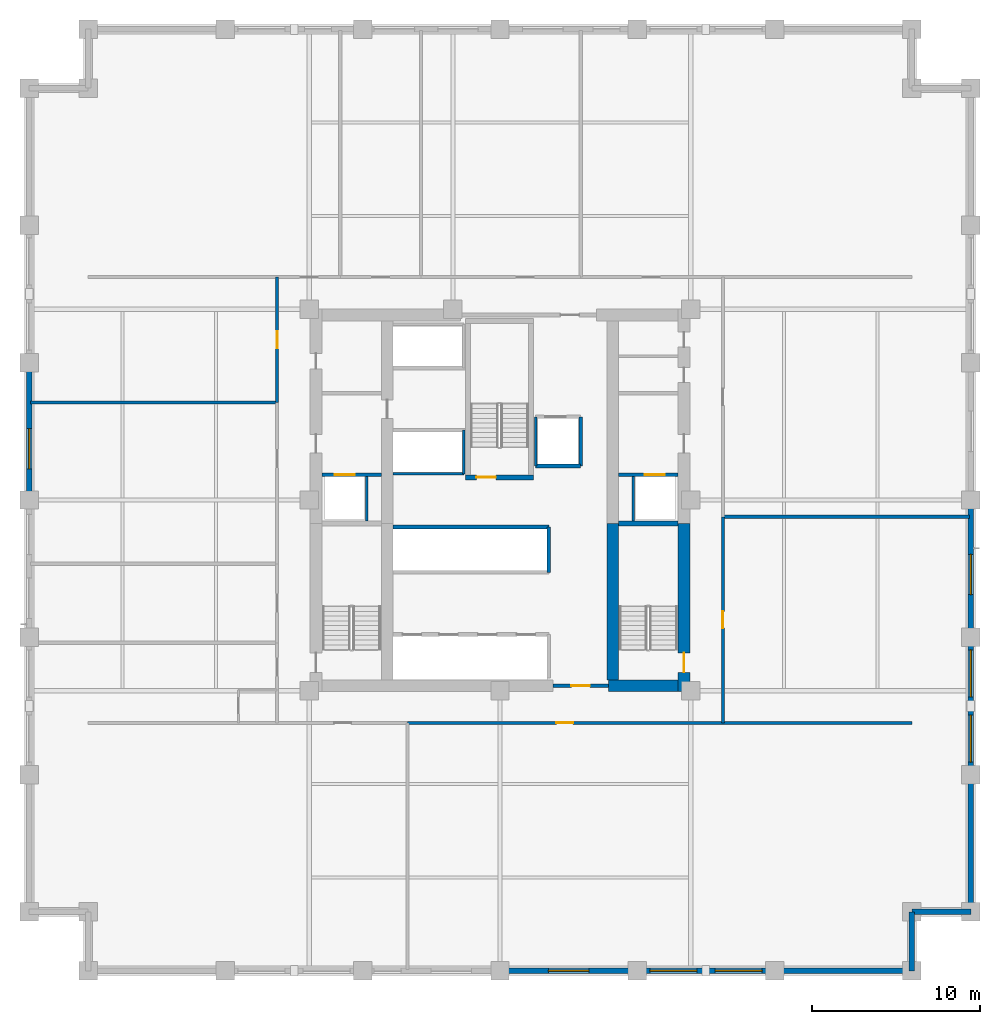
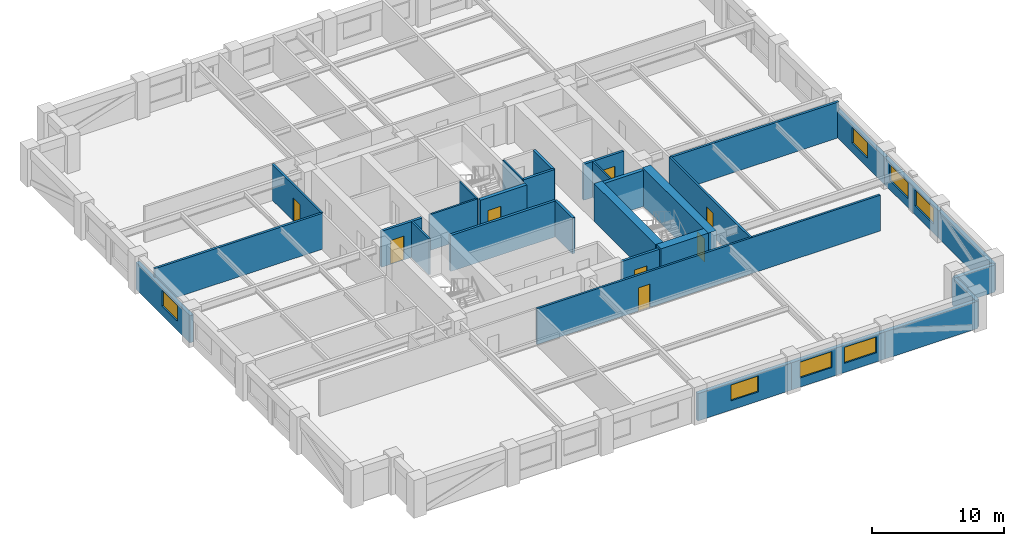
# One storey, part 6 of 9: 31 walls, 8 doors, 7 windows, 15 openings.
"""IFC4 building model written with IfcOpenShell, lengths in metres."""

from ifc_helpers import new_model, si_unit, direction, frame, frame_2d, origin, place, context, subcontext, project, spatial, rectangle, extrude, material, layer, layer_set, type_object, element, fill, save


model = new_model("IFC4")

# Units and contexts
model_context = context("Model", 3, precision=1e-05, world=origin(), true_north=direction((0.0, 1.0)))
body_context = subcontext(model_context, "Body", "Model", "MODEL_VIEW")
ifc_project = project(units=[si_unit("LENGTHUNIT", "METRE"), si_unit("AREAUNIT", "SQUARE_METRE"), si_unit("VOLUMEUNIT", "CUBIC_METRE"), si_unit("PLANEANGLEUNIT", "RADIAN"), si_unit("MASSUNIT", "GRAM", prefix="KILO")], contexts=[model_context])

# Site, building, storey
site_placement = place(None, origin())
site = spatial("IfcSite", under=ifc_project, at=site_placement, CompositionType="ELEMENT")
building_placement = place(site_placement, origin())
building = spatial("IfcBuilding", under=site, at=building_placement, Name="Nhamokura Convention Tower", CompositionType="ELEMENT")
storey_placement = place(building_placement, frame((0.0, 0.0, 85.75)))
storey = spatial("IfcBuildingStorey", under=building, at=storey_placement, Name="L20", CompositionType="ELEMENT", Elevation=85.75)

# Wall, opening, window
ifc_material_1 = material(Name="Bronze-pigmented precast concrete C45/55", Category="concrete")
ifc_layer_1 = layer(ifc_material_1, 0.320068359375)
ifc_layer_set_1 = layer_set([ifc_layer_1], Name="BronzePrecastSpandrel_320")
wall_type_1 = type_object("IfcWallType", Name="BronzePrecastSpandrel_320", PredefinedType="USERDEFINED", material=ifc_layer_set_1)
wall_1_placement = place(storey_placement, frame((40.166748046875, 4.0, 0.0), z_axis=(0.0, 0.0, 1.0), x_axis=(-1.0, 0.0, 0.0)))
wall_1 = element("IfcWall", 1, at=wall_1_placement, inside=storey, type_object=wall_type_1, Name="L20 Masonry-Frame Wall SOUTH 3", ObjectType="SPANDREL_WALL", PredefinedType="USERDEFINED", context=body_context, shape_type="SweptSolid", body=[
    extrude(rectangle(XDim=8.166748046875, YDim=0.320068359375, at=frame_2d((4.08349609375, 0.0))), origin(), (0.0, 0.0, 1.0), 2.52001953125),
])
opening_1_placement = place(wall_1_placement, frame((2.88330078125, 0.0, 0.85009765625)))
opening_1 = element("IfcOpeningElement", 2, at=opening_1_placement, cuts=wall_1, Name="Opening W-03", PredefinedType="OPENING", context=body_context, shape_type="SweptSolid", body=[
    extrude(rectangle(XDim=2.39990234375, YDim=1.469970703125, at=frame_2d((1.199951171875, 0.73486328125))), frame((0.0, 0.169921875, 0.0), z_axis=(0.0, -1.0, 0.0), x_axis=(1.0, 0.0, 0.0)), (0.0, 0.0, 1.0), 0.340087890625),
])
ifc_material_2 = material(Name="Solar-control bronze low-E double glass", Category="glass")
window_type_1 = type_object("IfcWindowType", Name="HotelBayWindow_2400", PartitioningType="DOUBLE_PANEL_VERTICAL", PredefinedType="WINDOW", material=ifc_material_2)
window_1_placement = place(opening_1_placement, origin())
window_1 = element("IfcWindow", 3, at=window_1_placement, inside=storey, type_object=window_type_1, Name="L20 Facade Window SOUTH 3", OverallHeight=1.469970703125, OverallWidth=2.39990234375, PartitioningType="SINGLE_PANEL", PredefinedType="WINDOW", context=body_context, shape_type="SweptSolid", body=[
    extrude(rectangle(XDim=2.39990234375, YDim=1.469970703125, at=frame_2d((1.199951171875, 0.73486328125))), frame((0.0, 0.030029296875, 0.0), z_axis=(0.0, -1.0, 0.0), x_axis=(1.0, 0.0, 0.0)), (0.0, 0.0, 1.0), 0.06005859375),
])
fill(opening_1, window_1)

# Wall, openings, windows
wall_2_placement = place(storey_placement, frame((48.333251953125, 4.0, 0.0), z_axis=(0.0, 0.0, 1.0), x_axis=(-1.0, 0.0, 0.0)))
wall_2 = element("IfcWall", 4, at=wall_2_placement, inside=storey, type_object=wall_type_1, Name="L20 Masonry-Frame Wall SOUTH 4", ObjectType="SPANDREL_WALL", PredefinedType="USERDEFINED", context=body_context, shape_type="SweptSolid", body=[
    extrude(rectangle(XDim=8.16650390625, YDim=0.320068359375, at=frame_2d((4.083251953125, 0.0))), origin(), (0.0, 0.0, 1.0), 2.52001953125),
])
opening_2_placement = place(wall_2_placement, frame((0.74169921875, 0.0, 0.85009765625)))
opening_2 = element("IfcOpeningElement", 5, at=opening_2_placement, cuts=wall_2, Name="Opening W-04", PredefinedType="OPENING", context=body_context, shape_type="SweptSolid", body=[
    extrude(rectangle(XDim=2.800048828125, YDim=1.469970703125, at=frame_2d((1.39990234375, 0.73486328125))), frame((0.0, 0.169921875, 0.0), z_axis=(0.0, -1.0, 0.0), x_axis=(1.0, 0.0, 0.0)), (0.0, 0.0, 1.0), 0.340087890625),
])
opening_3_placement = place(wall_2_placement, frame((4.625, 0.0, 0.85009765625)))
opening_3 = element("IfcOpeningElement", 6, at=opening_3_placement, cuts=wall_2, Name="Opening W-04", PredefinedType="OPENING", context=body_context, shape_type="SweptSolid", body=[
    extrude(rectangle(XDim=2.800048828125, YDim=1.469970703125, at=frame_2d((1.39990234375, 0.73486328125))), frame((0.0, 0.169921875, 0.0), z_axis=(0.0, -1.0, 0.0), x_axis=(1.0, 0.0, 0.0)), (0.0, 0.0, 1.0), 0.340087890625),
])
ifc_material_3 = material(Name="Solar-control bronze low-E double glass", Category="glass")
window_type_2 = type_object("IfcWindowType", Name="HotelSuiteWindow_2800", PartitioningType="DOUBLE_PANEL_VERTICAL", PredefinedType="WINDOW", material=ifc_material_3)
window_2_placement = place(opening_2_placement, origin())
window_2 = element("IfcWindow", 7, at=window_2_placement, inside=storey, type_object=window_type_2, Name="L20 Facade Window SOUTH 4-1", OverallHeight=1.469970703125, OverallWidth=2.800048828125, PartitioningType="SINGLE_PANEL", PredefinedType="WINDOW", context=body_context, shape_type="SweptSolid", body=[
    extrude(rectangle(XDim=2.800048828125, YDim=1.469970703125, at=frame_2d((1.39990234375, 0.73486328125))), frame((0.0, 0.030029296875, 0.0), z_axis=(0.0, -1.0, 0.0), x_axis=(1.0, 0.0, 0.0)), (0.0, 0.0, 1.0), 0.06005859375),
])
fill(opening_2, window_2)
window_3_placement = place(opening_3_placement, origin())
window_3 = element("IfcWindow", 8, at=window_3_placement, inside=storey, type_object=window_type_2, Name="L20 Facade Window SOUTH 4-2", OverallHeight=1.469970703125, OverallWidth=2.800048828125, PartitioningType="SINGLE_PANEL", PredefinedType="WINDOW", context=body_context, shape_type="SweptSolid", body=[
    extrude(rectangle(XDim=2.800048828125, YDim=1.469970703125, at=frame_2d((1.39990234375, 0.73486328125))), frame((0.0, 0.030029296875, 0.0), z_axis=(0.0, -1.0, 0.0), x_axis=(1.0, 0.0, 0.0)), (0.0, 0.0, 1.0), 0.06005859375),
])
fill(opening_3, window_3)

# Wall
wall_3_placement = place(storey_placement, frame((56.5, 4.0, 0.0), z_axis=(0.0, 0.0, 1.0), x_axis=(-1.0, 0.0, 0.0)))
element("IfcWall", 9, at=wall_3_placement, inside=storey, type_object=wall_type_1, Name="L20 Braced-Bay Precast Wall SOUTH 5", ObjectType="SPANDREL_WALL", PredefinedType="USERDEFINED", context=body_context, shape_type="SweptSolid", body=[
    extrude(rectangle(XDim=8.166748046875, YDim=0.320068359375, at=frame_2d((4.08349609375, 0.0))), origin(), (0.0, 0.0, 1.0), 2.52001953125),
])

# Wall, opening, window
wall_4_placement = place(storey_placement, frame((4.0, 32.0, 0.0), z_axis=(0.0, 0.0, 1.0), x_axis=(0.0, 1.0, 0.0)))
wall_4 = element("IfcWall", 10, at=wall_4_placement, inside=storey, type_object=wall_type_1, Name="L20 Masonry-Frame Wall WEST 3", ObjectType="SPANDREL_WALL", PredefinedType="USERDEFINED", context=body_context, shape_type="SweptSolid", body=[
    extrude(rectangle(XDim=8.166748046875, YDim=0.320068359375, at=frame_2d((4.08349609375, 0.0))), origin(), (0.0, 0.0, 1.0), 2.52001953125),
])
opening_4_placement = place(wall_4_placement, frame((1.85009765625, 0.0, 0.85009765625)))
opening_4 = element("IfcOpeningElement", 11, at=opening_4_placement, cuts=wall_4, Name="Opening W-03", PredefinedType="OPENING", context=body_context, shape_type="SweptSolid", body=[
    extrude(rectangle(XDim=2.39990234375, YDim=1.469970703125, at=frame_2d((1.199951171875, 0.73486328125))), frame((0.0, 0.169921875, 0.0), z_axis=(0.0, -1.0, 0.0), x_axis=(1.0, 0.0, 0.0)), (0.0, 0.0, 1.0), 0.340087890625),
])
window_4_placement = place(opening_4_placement, origin())
window_4 = element("IfcWindow", 12, at=window_4_placement, inside=storey, type_object=window_type_1, Name="L20 Facade Window WEST 3-1", OverallHeight=1.469970703125, OverallWidth=2.39990234375, PartitioningType="SINGLE_PANEL", PredefinedType="WINDOW", context=body_context, shape_type="SweptSolid", body=[
    extrude(rectangle(XDim=2.39990234375, YDim=1.469970703125, at=frame_2d((1.199951171875, 0.73486328125))), frame((0.0, 0.030029296875, 0.0), z_axis=(0.0, -1.0, 0.0), x_axis=(1.0, 0.0, 0.0)), (0.0, 0.0, 1.0), 0.06005859375),
])
fill(opening_4, window_4)

# Wall
wall_5_placement = place(storey_placement, frame((60.0, 15.666748046875, 0.0), z_axis=(0.0, 0.0, 1.0), x_axis=(0.0, -1.0, 0.0)))
element("IfcWall", 13, at=wall_5_placement, inside=storey, type_object=wall_type_1, Name="L20 Braced-Bay Precast Wall EAST 0", ObjectType="SPANDREL_WALL", PredefinedType="USERDEFINED", context=body_context, shape_type="SweptSolid", body=[
    extrude(rectangle(XDim=8.166748046875, YDim=0.320068359375, at=frame_2d((4.08349609375, 0.0))), origin(), (0.0, 0.0, 1.0), 2.52001953125),
])

# Wall, openings, windows
wall_6_placement = place(storey_placement, frame((60.0, 23.833251953125, 0.0), z_axis=(0.0, 0.0, 1.0), x_axis=(0.0, -1.0, 0.0)))
wall_6 = element("IfcWall", 14, at=wall_6_placement, inside=storey, type_object=wall_type_1, Name="L20 Masonry-Frame Wall EAST 1", ObjectType="SPANDREL_WALL", PredefinedType="USERDEFINED", context=body_context, shape_type="SweptSolid", body=[
    extrude(rectangle(XDim=8.16650390625, YDim=0.320068359375, at=frame_2d((4.083251953125, 0.0))), origin(), (0.0, 0.0, 1.0), 2.52001953125),
])
opening_5_placement = place(wall_6_placement, frame((0.74169921875, 0.0, 0.85009765625)))
opening_5 = element("IfcOpeningElement", 15, at=opening_5_placement, cuts=wall_6, Name="Opening W-04", PredefinedType="OPENING", context=body_context, shape_type="SweptSolid", body=[
    extrude(rectangle(XDim=2.800048828125, YDim=1.469970703125, at=frame_2d((1.39990234375, 0.73486328125))), frame((0.0, 0.169921875, 0.0), z_axis=(0.0, -1.0, 0.0), x_axis=(1.0, 0.0, 0.0)), (0.0, 0.0, 1.0), 0.340087890625),
])
opening_6_placement = place(wall_6_placement, frame((4.625, 0.0, 0.85009765625)))
opening_6 = element("IfcOpeningElement", 16, at=opening_6_placement, cuts=wall_6, Name="Opening W-04", PredefinedType="OPENING", context=body_context, shape_type="SweptSolid", body=[
    extrude(rectangle(XDim=2.800048828125, YDim=1.469970703125, at=frame_2d((1.39990234375, 0.73486328125))), frame((0.0, 0.169921875, 0.0), z_axis=(0.0, -1.0, 0.0), x_axis=(1.0, 0.0, 0.0)), (0.0, 0.0, 1.0), 0.340087890625),
])
window_5_placement = place(opening_5_placement, origin())
window_5 = element("IfcWindow", 17, at=window_5_placement, inside=storey, type_object=window_type_2, Name="L20 Facade Window EAST 1-1", OverallHeight=1.469970703125, OverallWidth=2.800048828125, PartitioningType="SINGLE_PANEL", PredefinedType="WINDOW", context=body_context, shape_type="SweptSolid", body=[
    extrude(rectangle(XDim=2.800048828125, YDim=1.469970703125, at=frame_2d((1.39990234375, 0.73486328125))), frame((0.0, 0.030029296875, 0.0), z_axis=(0.0, -1.0, 0.0), x_axis=(1.0, 0.0, 0.0)), (0.0, 0.0, 1.0), 0.06005859375),
])
fill(opening_5, window_5)
window_6_placement = place(opening_6_placement, origin())
window_6 = element("IfcWindow", 18, at=window_6_placement, inside=storey, type_object=window_type_2, Name="L20 Facade Window EAST 1-2", OverallHeight=1.469970703125, OverallWidth=2.800048828125, PartitioningType="SINGLE_PANEL", PredefinedType="WINDOW", context=body_context, shape_type="SweptSolid", body=[
    extrude(rectangle(XDim=2.800048828125, YDim=1.469970703125, at=frame_2d((1.39990234375, 0.73486328125))), frame((0.0, 0.030029296875, 0.0), z_axis=(0.0, -1.0, 0.0), x_axis=(1.0, 0.0, 0.0)), (0.0, 0.0, 1.0), 0.06005859375),
])
fill(opening_6, window_6)

# Wall, opening, window
wall_7_placement = place(storey_placement, frame((60.0, 32.0, 0.0), z_axis=(0.0, 0.0, 1.0), x_axis=(0.0, -1.0, 0.0)))
wall_7 = element("IfcWall", 19, at=wall_7_placement, inside=storey, type_object=wall_type_1, Name="L20 Masonry-Frame Wall EAST 2", ObjectType="SPANDREL_WALL", PredefinedType="USERDEFINED", context=body_context, shape_type="SweptSolid", body=[
    extrude(rectangle(XDim=8.166748046875, YDim=0.320068359375, at=frame_2d((4.08349609375, 0.0))), origin(), (0.0, 0.0, 1.0), 2.52001953125),
])
opening_7_placement = place(wall_7_placement, frame((3.2333984375, 0.0, 0.85009765625)))
opening_7 = element("IfcOpeningElement", 20, at=opening_7_placement, cuts=wall_7, Name="Opening W-03", PredefinedType="OPENING", context=body_context, shape_type="SweptSolid", body=[
    extrude(rectangle(XDim=2.39990234375, YDim=1.469970703125, at=frame_2d((1.199951171875, 0.73486328125))), frame((0.0, 0.169921875, 0.0), z_axis=(0.0, -1.0, 0.0), x_axis=(1.0, 0.0, 0.0)), (0.0, 0.0, 1.0), 0.340087890625),
])
window_7_placement = place(opening_7_placement, origin())
window_7 = element("IfcWindow", 21, at=window_7_placement, inside=storey, type_object=window_type_1, Name="L20 Facade Window EAST 2-2", OverallHeight=1.469970703125, OverallWidth=2.39990234375, PartitioningType="SINGLE_PANEL", PredefinedType="WINDOW", context=body_context, shape_type="SweptSolid", body=[
    extrude(rectangle(XDim=2.39990234375, YDim=1.469970703125, at=frame_2d((1.199951171875, 0.73486328125))), frame((0.0, 0.030029296875, 0.0), z_axis=(0.0, -1.0, 0.0), x_axis=(1.0, 0.0, 0.0)), (0.0, 0.0, 1.0), 0.06005859375),
])
fill(opening_7, window_7)

# Walls
for number, where, z_axis, x_axis, name in (
    (22, (56.5, 7.5, 0.0), (0.0, 0.0, 1.0), (0.0, -1.0, 0.0), "L20 Notched Corner Wall SE1"),
    (23, (60.0, 7.5, 0.0), (0.0, 0.0, 1.0), (-1.0, 0.0, 0.0), "L20 Notched Corner Wall SE2"),
):
    element("IfcWall", number, at=place(storey_placement, frame(where, z_axis=z_axis, x_axis=x_axis)), inside=storey, type_object=wall_type_1, Name=name, ObjectType="SPANDREL_WALL", PredefinedType="USERDEFINED", context=body_context, shape_type="SweptSolid", body=[
        extrude(rectangle(XDim=3.5, YDim=0.320068359375, at=frame_2d((1.75, 0.0))), origin(), (0.0, 0.0, 1.0), 2.52001953125),
    ])

# Wall, opening, door
ifc_material_4 = material(Name="Concrete C70/85", Category="concrete")
ifc_layer_2 = layer(ifc_material_4, 0.699951171875)
ifc_layer_set_2 = layer_set([ifc_layer_2], Name="CoreShearWall_700")
wall_type_2 = type_object("IfcWallType", Name="CoreShearWall_700", PredefinedType="SHEAR", material=ifc_layer_set_2)
wall_8_placement = place(storey_placement, frame((42.93994140625, 20.60009765625, 0.0), z_axis=(0.0, 0.0, 1.0), x_axis=(0.0, 1.0, 0.0)))
wall_8 = element("IfcWall", 24, at=wall_8_placement, inside=storey, type_object=wall_type_2, Name="L20 Core Shear Wall CW-ES", PredefinedType="SHEAR", context=body_context, shape_type="SweptSolid", body=[
    extrude(rectangle(XDim=10.0, YDim=0.699951171875, at=frame_2d((5.0, 0.0))), origin(), (0.0, 0.0, 1.0), 3.5),
])
opening_8_placement = place(wall_8_placement, frame((1.14990234375, 0.0, 0.0)))
opening_8 = element("IfcOpeningElement", 25, at=opening_8_placement, cuts=wall_8, Name="Opening D-04", PredefinedType="OPENING", context=body_context, shape_type="SweptSolid", body=[
    extrude(rectangle(XDim=1.14990234375, YDim=2.14990234375, at=frame_2d((0.574951171875, 1.074951171875))), frame((0.0, 0.35986328125, 0.0), z_axis=(0.0, -1.0, 0.0), x_axis=(1.0, 0.0, 0.0)), (0.0, 0.0, 1.0), 0.719970703125),
])
ifc_material_5 = material(Name="Fire-rated steel door", Category="steel")
door_type_1 = type_object("IfcDoorType", Name="StairSmokeDoor_1150", OperationType="NOTDEFINED", PredefinedType="DOOR", material=ifc_material_5)
door_1_placement = place(opening_8_placement, origin())
door_1 = element("IfcDoor", 26, at=door_1_placement, inside=storey, type_object=door_type_1, Name="L20 Core Door INT-L20-D-ST02", OperationType="SINGLE_SWING_RIGHT", OverallHeight=2.14990234375, OverallWidth=1.14990234375, PredefinedType="DOOR", context=body_context, shape_type="SweptSolid", body=[
    extrude(rectangle(XDim=1.14990234375, YDim=2.14990234375, at=frame_2d((0.574951171875, 1.074951171875))), frame((0.0, 0.02490234375, 0.0), z_axis=(0.0, -1.0, 0.0), x_axis=(1.0, 0.0, 0.0)), (0.0, 0.0, 1.0), 0.050048828125),
])
fill(opening_8, door_1)

# Walls
wall_9_placement = place(storey_placement, frame((38.449951171875, 20.949951171875, 0.0), z_axis=(0.0, 0.0, 1.0), x_axis=(1.0, 0.0, 0.0)))
element("IfcWall", 27, at=wall_9_placement, inside=storey, type_object=wall_type_2, Name="L20 Core Shear Wall CW-S2", PredefinedType="SHEAR", context=body_context, shape_type="SweptSolid", body=[
    extrude(rectangle(XDim=4.14013671875, YDim=0.699951171875, at=frame_2d((2.070068359375, 0.0))), origin(), (0.0, 0.0, 1.0), 3.5),
])
wall_10_placement = place(storey_placement, frame((38.7099609375, 21.300048828125, 0.0), z_axis=(0.0, 0.0, 1.0), x_axis=(0.0, 1.0, 0.0)))
element("IfcWall", 28, at=wall_10_placement, inside=storey, type_object=wall_type_2, Name="L20 Core Shear Wall CW-IES", PredefinedType="SHEAR", context=body_context, shape_type="SweptSolid", body=[
    extrude(rectangle(XDim=9.300048828125, YDim=0.699951171875, at=frame_2d((4.64990234375, 0.0))), origin(), (0.0, 0.0, 1.0), 3.5),
])

# Wall, opening, door
ifc_material_6 = material(Name="Fire-rated gypsum and masonry partition", Category="masonry")
ifc_layer_3 = layer(ifc_material_6, 0.179931640625)
ifc_layer_set_3 = layer_set([ifc_layer_3], Name="CorridorRatedWall_180")
wall_type_3 = type_object("IfcWallType", Name="CorridorRatedWall_180", PredefinedType="STANDARD", material=ifc_layer_set_3)
wall_11_placement = place(storey_placement, frame((26.5, 18.75, 0.0), z_axis=(0.0, 0.0, 1.0), x_axis=(1.0, 0.0, 0.0)))
wall_11 = element("IfcWall", 29, at=wall_11_placement, inside=storey, type_object=wall_type_3, Name="L20 Wall INT-L20-CW-S01", PredefinedType="STANDARD", context=body_context, shape_type="SweptSolid", body=[
    extrude(rectangle(XDim=30.0, YDim=0.179931640625, at=frame_2d((15.0, 0.0))), origin(), (0.0, 0.0, 1.0), 3.320068359375),
])
opening_9_placement = place(wall_11_placement, frame((8.85009765625, 0.0, 0.0)))
opening_9 = element("IfcOpeningElement", 30, at=opening_9_placement, cuts=wall_11, Name="Opening D-07", PredefinedType="OPENING", context=body_context, shape_type="SweptSolid", body=[
    extrude(rectangle(XDim=1.0, YDim=2.14990234375, at=frame_2d((0.5, 1.074951171875))), frame((0.0, 0.099853515625, 0.0), z_axis=(0.0, -1.0, 0.0), x_axis=(1.0, 0.0, 0.0)), (0.0, 0.0, 1.0), 0.199951171875),
])
ifc_material_7 = material(Name="Solid oak hardwood", Category="wood")
door_type_2 = type_object("IfcDoorType", Name="HotelSuiteEntryDoor_1000", OperationType="NOTDEFINED", PredefinedType="DOOR", material=ifc_material_7)
door_2_placement = place(opening_9_placement, origin())
door_2 = element("IfcDoor", 31, at=door_2_placement, inside=storey, type_object=door_type_2, Name="L20 Private Dining Room S02 Door", OperationType="SINGLE_SWING_RIGHT", OverallHeight=2.14990234375, OverallWidth=1.0, PredefinedType="DOOR", context=body_context, shape_type="SweptSolid", body=[
    extrude(rectangle(XDim=1.0, YDim=2.14990234375, at=frame_2d((0.5, 1.074951171875))), frame((0.0, 0.02490234375, 0.0), z_axis=(0.0, -1.0, 0.0), x_axis=(1.0, 0.0, 0.0)), (0.0, 0.0, 1.0), 0.050048828125),
])
fill(opening_9, door_2)

wall_12_placement = place(storey_placement, frame((18.75, 37.800048828125, 0.0), z_axis=(0.0, 0.0, 1.0), x_axis=(0.0, 1.0, 0.0)))
wall_12 = element("IfcWall", 32, at=wall_12_placement, inside=storey, type_object=wall_type_3, Name="L20 Wall INT-L20-CW-W03", PredefinedType="STANDARD", context=body_context, shape_type="SweptSolid", body=[
    extrude(rectangle(XDim=7.449951171875, YDim=0.179931640625, at=frame_2d((3.72509765625, 0.0))), origin(), (0.0, 0.0, 1.0), 3.320068359375),
])
opening_10_placement = place(wall_12_placement, frame((3.22509765625, 0.0, 0.0)))
opening_10 = element("IfcOpeningElement", 33, at=opening_10_placement, cuts=wall_12, Name="Opening D-07", PredefinedType="OPENING", context=body_context, shape_type="SweptSolid", body=[
    extrude(rectangle(XDim=1.0, YDim=2.14990234375, at=frame_2d((0.5, 1.074951171875))), frame((0.0, 0.099853515625, 0.0), z_axis=(0.0, -1.0, 0.0), x_axis=(1.0, 0.0, 0.0)), (0.0, 0.0, 1.0), 0.199951171875),
])
door_3_placement = place(opening_10_placement, origin())
door_3 = element("IfcDoor", 34, at=door_3_placement, inside=storey, type_object=door_type_2, Name="L20 Conference Salon W04 Door", OperationType="SINGLE_SWING_RIGHT", OverallHeight=2.14990234375, OverallWidth=1.0, PredefinedType="DOOR", context=body_context, shape_type="SweptSolid", body=[
    extrude(rectangle(XDim=1.0, YDim=2.14990234375, at=frame_2d((0.5, 1.074951171875))), frame((0.0, 0.02490234375, 0.0), z_axis=(0.0, -1.0, 0.0), x_axis=(1.0, 0.0, 0.0)), (0.0, 0.0, 1.0), 0.050048828125),
])
fill(opening_10, door_3)

wall_13_placement = place(storey_placement, frame((45.25, 18.75, 0.0), z_axis=(0.0, 0.0, 1.0), x_axis=(0.0, 1.0, 0.0)))
wall_13 = element("IfcWall", 35, at=wall_13_placement, inside=storey, type_object=wall_type_3, Name="L20 Wall INT-L20-CW-E00", PredefinedType="STANDARD", context=body_context, shape_type="SweptSolid", body=[
    extrude(rectangle(XDim=12.25, YDim=0.179931640625, at=frame_2d((6.125, 0.0))), origin(), (0.0, 0.0, 1.0), 3.320068359375),
])
opening_11_placement = place(wall_13_placement, frame((5.625, 0.0, 0.0)))
opening_11 = element("IfcOpeningElement", 36, at=opening_11_placement, cuts=wall_13, Name="Opening D-07", PredefinedType="OPENING", context=body_context, shape_type="SweptSolid", body=[
    extrude(rectangle(XDim=1.0, YDim=2.14990234375, at=frame_2d((0.5, 1.074951171875))), frame((0.0, 0.099853515625, 0.0), z_axis=(0.0, -1.0, 0.0), x_axis=(1.0, 0.0, 0.0)), (0.0, 0.0, 1.0), 0.199951171875),
])
door_4_placement = place(opening_11_placement, origin())
door_4 = element("IfcDoor", 37, at=door_4_placement, inside=storey, type_object=door_type_2, Name="L20 Wellness Gym Studio E01 Door", OperationType="SINGLE_SWING_LEFT", OverallHeight=2.14990234375, OverallWidth=1.0, PredefinedType="DOOR", context=body_context, shape_type="SweptSolid", body=[
    extrude(rectangle(XDim=1.0, YDim=2.14990234375, at=frame_2d((0.5, 1.074951171875))), frame((0.0, 0.02490234375, 0.0), z_axis=(0.0, -1.0, 0.0), x_axis=(1.0, 0.0, 0.0)), (0.0, 0.0, 1.0), 0.050048828125),
])
fill(opening_11, door_4)

ifc_material_8 = material(Name="Autoclaved concrete blockwork", Category="masonry")
ifc_layer_4 = layer(ifc_material_8, 0.219970703125)
ifc_layer_set_4 = layer_set([ifc_layer_4], Name="FireLobbyWall_220")
wall_type_4 = type_object("IfcWallType", Name="FireLobbyWall_220", PredefinedType="STANDARD", material=ifc_layer_set_4)
wall_14_placement = place(storey_placement, frame((21.409912109375, 33.5, 0.0), z_axis=(0.0, 0.0, 1.0), x_axis=(1.0, 0.0, 0.0)))
wall_14 = element("IfcWall", 38, at=wall_14_placement, inside=storey, type_object=wall_type_4, Name="L20 Wall INT-L20-FFW-S", PredefinedType="STANDARD", context=body_context, shape_type="SweptSolid", body=[
    extrude(rectangle(XDim=3.530029296875, YDim=0.219970703125, at=frame_2d((1.76513671875, 0.0))), origin(), (0.0, 0.0, 1.0), 3.320068359375),
])
opening_12_placement = place(wall_14_placement, frame((0.75, 0.0, 0.0)))
opening_12 = element("IfcOpeningElement", 39, at=opening_12_placement, cuts=wall_14, Name="Opening LD-02", PredefinedType="OPENING", context=body_context, shape_type="SweptSolid", body=[
    extrude(rectangle(XDim=1.199951171875, YDim=2.199951171875, at=frame_2d((0.60009765625, 1.10009765625))), frame((0.0, 0.119873046875, 0.0), z_axis=(0.0, -1.0, 0.0), x_axis=(1.0, 0.0, 0.0)), (0.0, 0.0, 1.0), 0.239990234375),
])
ifc_material_9 = material(Name="Anodised bronze stainless steel", Category="steel")
door_type_3 = type_object("IfcDoorType", Name="LiftLandingDoor_FireService", OperationType="DOUBLE_DOOR_SLIDING", PredefinedType="DOOR", material=ifc_material_9)
door_5_placement = place(opening_12_placement, origin())
door_5 = element("IfcDoor", 40, at=door_5_placement, inside=storey, type_object=door_type_3, Name="L20 Firefighting Lift LF-01 Door", OperationType="DOUBLE_DOOR_SLIDING", OverallHeight=2.199951171875, OverallWidth=1.199951171875, PredefinedType="DOOR", context=body_context, shape_type="SweptSolid", body=[
    extrude(rectangle(XDim=1.199951171875, YDim=2.199951171875, at=frame_2d((0.60009765625, 1.10009765625))), frame((0.0, 0.02490234375, 0.0), z_axis=(0.0, -1.0, 0.0), x_axis=(1.0, 0.0, 0.0)), (0.0, 0.0, 1.0), 0.050048828125),
])
fill(opening_12, door_5)

wall_15_placement = place(storey_placement, frame((39.06005859375, 33.5, 0.0), z_axis=(0.0, 0.0, 1.0), x_axis=(1.0, 0.0, 0.0)))
wall_15 = element("IfcWall", 41, at=wall_15_placement, inside=storey, type_object=wall_type_4, Name="L20 Wall INT-L20-FFE-S", PredefinedType="STANDARD", context=body_context, shape_type="SweptSolid", body=[
    extrude(rectangle(XDim=3.530029296875, YDim=0.219970703125, at=frame_2d((1.76513671875, 0.0))), origin(), (0.0, 0.0, 1.0), 3.320068359375),
])
opening_13_placement = place(wall_15_placement, frame((1.550048828125, 0.0, 0.0)))
opening_13 = element("IfcOpeningElement", 42, at=opening_13_placement, cuts=wall_15, Name="Opening LD-02", PredefinedType="OPENING", context=body_context, shape_type="SweptSolid", body=[
    extrude(rectangle(XDim=1.199951171875, YDim=2.199951171875, at=frame_2d((0.60009765625, 1.10009765625))), frame((0.0, 0.119873046875, 0.0), z_axis=(0.0, -1.0, 0.0), x_axis=(1.0, 0.0, 0.0)), (0.0, 0.0, 1.0), 0.239990234375),
])
door_6_placement = place(opening_13_placement, origin())
door_6 = element("IfcDoor", 43, at=door_6_placement, inside=storey, type_object=door_type_3, Name="L20 Firefighting Lift LF-02 Door", OperationType="DOUBLE_DOOR_SLIDING", OverallHeight=2.199951171875, OverallWidth=1.199951171875, PredefinedType="DOOR", context=body_context, shape_type="SweptSolid", body=[
    extrude(rectangle(XDim=1.199951171875, YDim=2.199951171875, at=frame_2d((0.60009765625, 1.10009765625))), frame((0.0, 0.02490234375, 0.0), z_axis=(0.0, -1.0, 0.0), x_axis=(1.0, 0.0, 0.0)), (0.0, 0.0, 1.0), 0.050048828125),
])
fill(opening_13, door_6)

wall_16_placement = place(storey_placement, frame((35.14990234375, 20.949951171875, 0.0), z_axis=(0.0, 0.0, 1.0), x_axis=(1.0, 0.0, 0.0)))
wall_16 = element("IfcWall", 44, at=wall_16_placement, inside=storey, type_object=wall_type_4, Name="L20 Wall INT-L20-SPORT-S", PredefinedType="STANDARD", context=body_context, shape_type="SweptSolid", body=[
    extrude(rectangle(XDim=3.300048828125, YDim=0.219970703125, at=frame_2d((1.64990234375, 0.0))), origin(), (0.0, 0.0, 1.0), 3.320068359375),
])
opening_14_placement = place(wall_16_placement, frame((1.10009765625, 0.0, 0.0)))
opening_14 = element("IfcOpeningElement", 45, at=opening_14_placement, cuts=wall_16, Name="Opening D-05", PredefinedType="OPENING", context=body_context, shape_type="SweptSolid", body=[
    extrude(rectangle(XDim=1.10009765625, YDim=2.14990234375, at=frame_2d((0.550048828125, 1.074951171875))), frame((0.0, 0.119873046875, 0.0), z_axis=(0.0, -1.0, 0.0), x_axis=(1.0, 0.0, 0.0)), (0.0, 0.0, 1.0), 0.239990234375),
])
ifc_material_10 = material(Name="Fire-rated steel door", Category="steel")
door_type_4 = type_object("IfcDoorType", Name="FireLobbyDoor_1100", OperationType="NOTDEFINED", PredefinedType="DOOR", material=ifc_material_10)
door_7_placement = place(opening_14_placement, origin())
door_7 = element("IfcDoor", 46, at=door_7_placement, inside=storey, type_object=door_type_4, Name="L20 South Core Lobby Portal Door", OperationType="SINGLE_SWING_LEFT", OverallHeight=2.14990234375, OverallWidth=1.10009765625, PredefinedType="DOOR", context=body_context, shape_type="SweptSolid", body=[
    extrude(rectangle(XDim=1.10009765625, YDim=2.14990234375, at=frame_2d((0.550048828125, 1.074951171875))), frame((0.0, 0.02490234375, 0.0), z_axis=(0.0, -1.0, 0.0), x_axis=(1.0, 0.0, 0.0)), (0.0, 0.0, 1.0), 0.050048828125),
])
fill(opening_14, door_7)

# Walls
wall_17_placement = place(storey_placement, frame((25.64990234375, 30.39990234375, 0.0), z_axis=(0.0, 0.0, 1.0), x_axis=(1.0, 0.0, 0.0)))
element("IfcWall", 47, at=wall_17_placement, inside=storey, type_object=wall_type_4, Name="L20 Wall INT-L20-B2N", PredefinedType="STANDARD", context=body_context, shape_type="SweptSolid", body=[
    extrude(rectangle(XDim=9.25, YDim=0.219970703125, at=frame_2d((4.625, 0.0))), origin(), (0.0, 0.0, 1.0), 3.320068359375),
])
wall_18_placement = place(storey_placement, frame((34.89990234375, 27.699951171875, 0.0), z_axis=(0.0, 0.0, 1.0), x_axis=(0.0, 1.0, 0.0)))
element("IfcWall", 48, at=wall_18_placement, inside=storey, type_object=wall_type_4, Name="L20 Wall INT-L20-B2E", PredefinedType="STANDARD", context=body_context, shape_type="SweptSolid", body=[
    extrude(rectangle(XDim=2.699951171875, YDim=0.219970703125, at=frame_2d((1.35009765625, 0.0))), origin(), (0.0, 0.0, 1.0), 3.320068359375),
])
wall_19_placement = place(storey_placement, frame((36.800048828125, 34.02001953125, 0.0), z_axis=(0.0, 0.0, 1.0), x_axis=(0.0, 1.0, 0.0)))
element("IfcWall", 49, at=wall_19_placement, inside=storey, type_object=wall_type_4, Name="L20 Wall INT-L20-LSE", PredefinedType="STANDARD", context=body_context, shape_type="SweptSolid", body=[
    extrude(rectangle(XDim=2.929931640625, YDim=0.219970703125, at=frame_2d((1.46484375, 0.0))), origin(), (0.0, 0.0, 1.0), 3.320068359375),
])
wall_20_placement = place(storey_placement, frame((34.1201171875, 34.02001953125, 0.0), z_axis=(0.0, 0.0, 1.0), x_axis=(1.0, 0.0, 0.0)))
element("IfcWall", 50, at=wall_20_placement, inside=storey, type_object=wall_type_4, Name="L20 Wall INT-L20-LSS", PredefinedType="STANDARD", context=body_context, shape_type="SweptSolid", body=[
    extrude(rectangle(XDim=2.679931640625, YDim=0.219970703125, at=frame_2d((1.33984375, 0.0))), origin(), (0.0, 0.0, 1.0), 3.320068359375),
])
ifc_material_11 = material(Name="Acoustic twin-stud gypsum partition", Category="masonry")
ifc_layer_5 = layer(ifc_material_11, 0.199951171875)
ifc_layer_set_5 = layer_set([ifc_layer_5], Name="HotelDemisingWall_200")
wall_type_5 = type_object("IfcWallType", Name="HotelDemisingWall_200", PredefinedType="STANDARD", material=ifc_layer_set_5)
for number, where, z_axis, x_axis, name in (
    (51, (4.06005859375, 37.800048828125, 0.0), (0.0, 0.0, 1.0), (1.0, 0.0, 0.0), "L20 Wall INT-L20-RW-W03"),
    (52, (45.25, 31.0, 0.0), (0.0, 0.0, 1.0), (1.0, 0.0, 0.0), "L20 Wall INT-L20-RW-E01"),
):
    element("IfcWall", number, at=place(storey_placement, frame(where, z_axis=z_axis, x_axis=x_axis)), inside=storey, type_object=wall_type_5, Name=name, PredefinedType="STANDARD", context=body_context, shape_type="SweptSolid", body=[
        extrude(rectangle(XDim=14.68994140625, YDim=0.199951171875, at=frame_2d((7.344970703125, 0.0))), origin(), (0.0, 0.0, 1.0), 3.320068359375),
    ])
ifc_material_12 = material(Name="Acoustic gypsum stud partition", Category="masonry")
ifc_layer_6 = layer(ifc_material_12, 0.14990234375)
ifc_layer_set_6 = layer_set([ifc_layer_6], Name="InteriorPartition_150")
wall_type_6 = type_object("IfcWallType", Name="InteriorPartition_150", PredefinedType="STANDARD", material=ifc_layer_set_6)
for number, where, z_axis, x_axis, name in (
    (53, (24.080078125, 30.75, 0.0), (0.0, 0.0, 1.0), (0.0, 1.0, 0.0), "L20 Wall INT-L20-FF1-E"),
    (54, (39.919921875, 30.75, 0.0), (0.0, 0.0, 1.0), (0.0, 1.0, 0.0), "L20 Wall INT-L20-FF2-W"),
):
    element("IfcWall", number, at=place(storey_placement, frame(where, z_axis=z_axis, x_axis=x_axis)), inside=storey, type_object=wall_type_6, Name=name, PredefinedType="STANDARD", context=body_context, shape_type="SweptSolid", body=[
        extrude(rectangle(XDim=2.64990234375, YDim=0.14990234375, at=frame_2d((1.324951171875, 0.0))), origin(), (0.0, 0.0, 1.0), 3.320068359375),
    ])
wall_21_placement = place(storey_placement, frame((25.64990234375, 33.550048828125, 0.0), z_axis=(0.0, 0.0, 1.0), x_axis=(1.0, 0.0, 0.0)))
element("IfcWall", 55, at=wall_21_placement, inside=storey, type_object=wall_type_6, Name="L20 Wall INT-L20-B3A-S", PredefinedType="STANDARD", context=body_context, shape_type="SweptSolid", body=[
    extrude(rectangle(XDim=4.2001953125, YDim=0.14990234375, at=frame_2d((2.10009765625, 0.0))), origin(), (0.0, 0.0, 1.0), 3.320068359375),
])
wall_22_placement = place(storey_placement, frame((29.85009765625, 33.550048828125, 0.0), z_axis=(0.0, 0.0, 1.0), x_axis=(0.0, 1.0, 0.0)))
element("IfcWall", 56, at=wall_22_placement, inside=storey, type_object=wall_type_6, Name="L20 Wall INT-L20-B3A-E", PredefinedType="STANDARD", context=body_context, shape_type="SweptSolid", body=[
    extrude(rectangle(XDim=2.599853515625, YDim=0.14990234375, at=frame_2d((1.2998046875, 0.0))), origin(), (0.0, 0.0, 1.0), 3.320068359375),
])
wall_23_placement = place(storey_placement, frame((34.1201171875, 34.02001953125, 0.0), z_axis=(0.0, 0.0, 1.0), x_axis=(0.0, 1.0, 0.0)))
element("IfcWall", 57, at=wall_23_placement, inside=storey, type_object=wall_type_6, Name="L20 Wall INT-L20-LSW", PredefinedType="STANDARD", context=body_context, shape_type="SweptSolid", body=[
    extrude(rectangle(XDim=2.929931640625, YDim=0.14990234375, at=frame_2d((1.46484375, 0.0))), origin(), (0.0, 0.0, 1.0), 3.320068359375),
])
ifc_material_13 = material(Name="Concrete C50/60", Category="concrete")
ifc_layer_7 = layer(ifc_material_13, 0.300048828125)
ifc_layer_set_7 = layer_set([ifc_layer_7], Name="ShaftEnclosureWall_300")
wall_type_7 = type_object("IfcWallType", Name="ShaftEnclosureWall_300", PredefinedType="SHEAR", material=ifc_layer_set_7)
wall_24_placement = place(storey_placement, frame((39.06005859375, 30.60009765625, 0.0), z_axis=(0.0, 0.0, 1.0), x_axis=(1.0, 0.0, 0.0)))
element("IfcWall", 58, at=wall_24_placement, inside=storey, type_object=wall_type_7, Name="L20 Wall INT-L20-ST02-N", PredefinedType="SHEAR", context=body_context, shape_type="SweptSolid", body=[
    extrude(rectangle(XDim=3.530029296875, YDim=0.300048828125, at=frame_2d((1.76513671875, 0.0))), origin(), (0.0, 0.0, 1.0), 3.320068359375),
])

# Wall, opening, door
wall_25_placement = place(storey_placement, frame((29.949951171875, 33.35009765625, 0.0), z_axis=(0.0, 0.0, 1.0), x_axis=(1.0, 0.0, 0.0)))
wall_25 = element("IfcWall", 59, at=wall_25_placement, inside=storey, type_object=wall_type_7, Name="L20 Wall INT-L20-ST03S", PredefinedType="SHEAR", context=body_context, shape_type="SweptSolid", body=[
    extrude(rectangle(XDim=4.050048828125, YDim=0.300048828125, at=frame_2d((2.02490234375, 0.0))), origin(), (0.0, 0.0, 1.0), 3.320068359375),
])
opening_15_placement = place(wall_25_placement, frame((0.64990234375, 0.0, 0.0)))
opening_15 = element("IfcOpeningElement", 60, at=opening_15_placement, cuts=wall_25, Name="Opening D-04", PredefinedType="OPENING", context=body_context, shape_type="SweptSolid", body=[
    extrude(rectangle(XDim=1.14990234375, YDim=2.14990234375, at=frame_2d((0.574951171875, 1.074951171875))), frame((0.0, 0.159912109375, 0.0), z_axis=(0.0, -1.0, 0.0), x_axis=(1.0, 0.0, 0.0)), (0.0, 0.0, 1.0), 0.320068359375),
])
door_8_placement = place(opening_15_placement, origin())
door_8 = element("IfcDoor", 61, at=door_8_placement, inside=storey, type_object=door_type_1, Name="L20 Stair ST-03 Smoke Door", OperationType="SINGLE_SWING_LEFT", OverallHeight=2.14990234375, OverallWidth=1.14990234375, PredefinedType="DOOR", context=body_context, shape_type="SweptSolid", body=[
    extrude(rectangle(XDim=1.14990234375, YDim=2.14990234375, at=frame_2d((0.574951171875, 1.074951171875))), frame((0.0, 0.02490234375, 0.0), z_axis=(0.0, -1.0, 0.0), x_axis=(1.0, 0.0, 0.0)), (0.0, 0.0, 1.0), 0.050048828125),
])
fill(opening_15, door_8)

save(model, "model.ifc")
